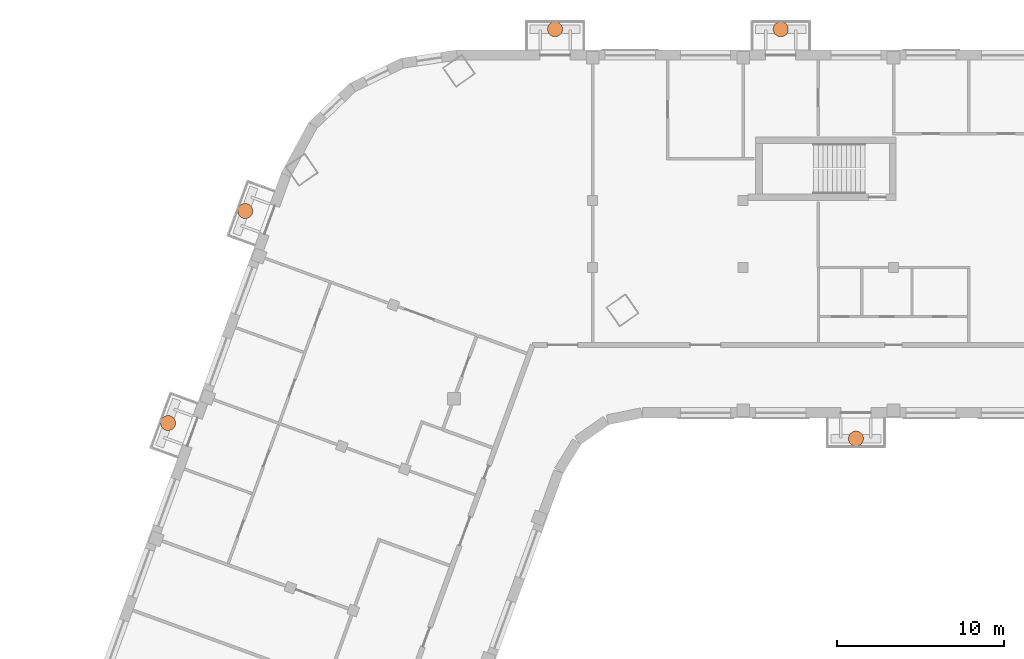
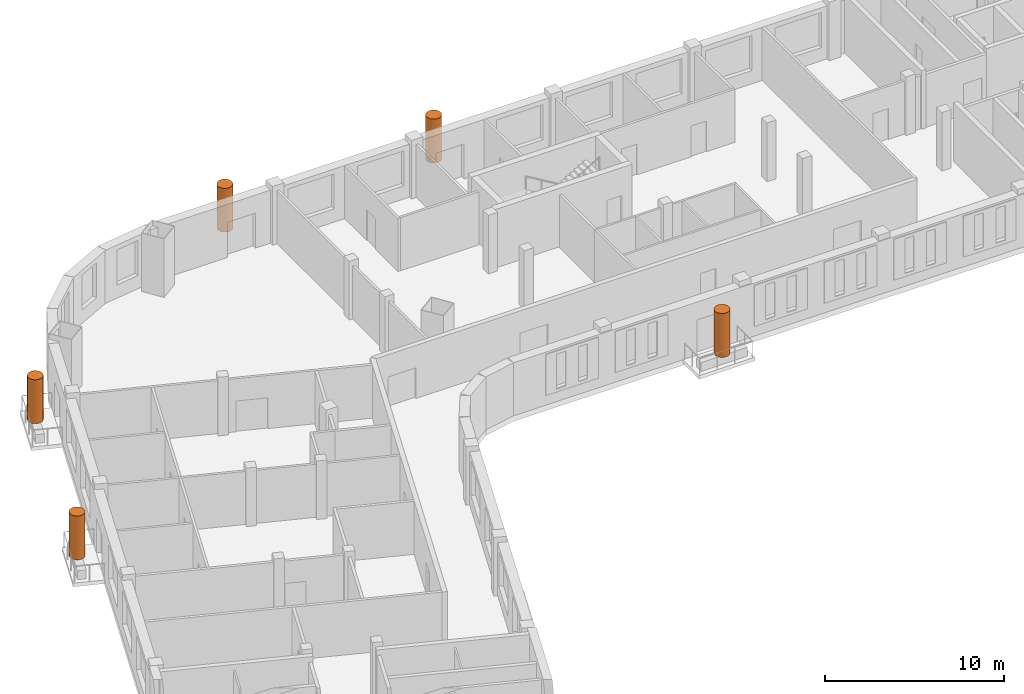
# One storey, part 10 of 10: 5 geographic elements.
"""IFC4 building model written with IfcOpenShell, lengths in metres."""

import ifcopenshell
import ifcopenshell.guid

model = None  # the IFC model being written
_history = None  # IfcOwnerHistory: only IFC2X3 demands one
_inside = {}  # id of a spatial element -> (the spatial element, [elements in it])
_under = {}  # id of a project, library or spatial element -> (it, [spatial elements below it])
_declared = {}  # id of a project -> (the project, [libraries it declares])
_typed = {}  # id of a type object -> (the type object, [elements of that type])
_made_of = {}  # id of a material, layer set ... -> (it, [elements and type objects made of it])


def new_model(schema):
    """Start an empty IFC model of exactly this schema.

    Asked for "IFC4X3", IfcOpenShell would pick the latest addendum, in which some entities
    have other attributes; the version numbers below select the first issue.
    IFC2X3 requires an IfcOwnerHistory on every rooted entity: one is made here for all.
    """
    global model, _history
    if schema == "IFC4X3":
        model = ifcopenshell.file(schema_version=(4, 3, 0, 0))
    else:
        model = ifcopenshell.file(schema=schema)
    _inside.clear()
    _under.clear()
    _declared.clear()
    _typed.clear()
    _made_of.clear()
    _history = None
    if model.schema == "IFC2X3":
        org = make("IfcOrganization", Name="unknown")
        user = make(
            "IfcPersonAndOrganization",
            ThePerson=make("IfcPerson", FamilyName="unknown"),
            TheOrganization=org,
        )
        app = make(
            "IfcApplication",
            ApplicationDeveloper=org,
            Version="unknown",
            ApplicationFullName="unknown",
            ApplicationIdentifier="unknown",
        )
        _history = make(
            "IfcOwnerHistory",
            OwningUser=user,
            OwningApplication=app,
            ChangeAction="ADDED",
            CreationDate=0,
        )
    return model


def make(cls, **values):
    """One entity of the class cls with the attributes given. An attribute that is None is left unset."""
    return model.create_entity(
        cls, **{name: value for name, value in values.items() if value is not None}
    )


def rooted(cls, **values):
    """An entity with a GlobalId (a new one), such as an element, a storey or a relation."""
    return make(cls, GlobalId=ifcopenshell.guid.new(), OwnerHistory=_history, **values)


def si_unit(unit_type, name, prefix=None):
    """IfcSIUnit, for example si_unit("LENGTHUNIT", "METRE", prefix="MILLI")."""
    return make("IfcSIUnit", UnitType=unit_type, Prefix=prefix, Name=name)


def assignment(units):
    """IfcUnitAssignment: the units of a project."""
    return None if units is None else make("IfcUnitAssignment", Units=units)


def point(xyz):
    """IfcCartesianPoint."""
    return None if xyz is None else make("IfcCartesianPoint", Coordinates=xyz)


def direction(xyz):
    """IfcDirection."""
    return None if xyz is None else make("IfcDirection", DirectionRatios=xyz)


def frame(location, z_axis=None, x_axis=None):
    """IfcAxis2Placement3D, a coordinate frame: its origin and axes. An axis left out is left unset."""
    return make(
        "IfcAxis2Placement3D",
        Location=point(location),
        Axis=direction(z_axis),
        RefDirection=direction(x_axis),
    )


def frame_2d(location, x_axis=None):
    """IfcAxis2Placement2D, a coordinate frame in the plane: its origin and x axis."""
    return make(
        "IfcAxis2Placement2D", Location=point(location), RefDirection=direction(x_axis)
    )


def origin():
    """The frame at (0, 0, 0) with its axes left unset."""
    return frame((0.0, 0.0, 0.0))


def origin_2d():
    """The frame at (0, 0) in the plane with its x axis left unset."""
    return frame_2d((0.0, 0.0))


def place(relative_to, where):
    """IfcLocalPlacement: puts the frame where relative to a parent placement (None: the world)."""
    return make(
        "IfcLocalPlacement", PlacementRelTo=relative_to, RelativePlacement=where
    )


def context(
    kind, dimensions, precision=None, world=None, true_north=None, identifier=None
):
    """IfcGeometricRepresentationContext, for example the 3D "Model" context."""
    return make(
        "IfcGeometricRepresentationContext",
        ContextIdentifier=identifier,
        ContextType=kind,
        CoordinateSpaceDimension=dimensions,
        Precision=precision,
        WorldCoordinateSystem=world,
        TrueNorth=true_north,
    )


def subcontext(parent, identifier, kind, view, scale=None):
    """IfcGeometricRepresentationSubContext, for example "Body" below "Model"."""
    return make(
        "IfcGeometricRepresentationSubContext",
        ContextIdentifier=identifier,
        ContextType=kind,
        ParentContext=parent,
        TargetScale=scale,
        TargetView=view,
    )


def project(units=None, contexts=None):
    """IfcProject with its units and contexts."""
    return rooted(
        "IfcProject",
        Name="project",
        RepresentationContexts=contexts,
        UnitsInContext=assignment(units),
    )


def spatial(cls, under=None, at=None, **own):
    """A site, building, storey or space (cls), placed at a placement, below another one or the project."""
    s = rooted(cls, ObjectPlacement=at, **own)
    if under is not None:
        _under.setdefault(under.id(), (under, []))[1].append(s)
    return s


def profile(cls, at=None, kind="AREA", **sizes):
    """A parametric profile (cls). Its sizes go by their IFC names, for example OverallWidth=200.0."""
    return make(cls, ProfileType=kind, Position=at, **sizes)


def circle(**sizes):
    """IfcCircleProfileDef."""
    return profile("IfcCircleProfileDef", **sizes)


def extrude(swept, where, along, depth):
    """IfcExtrudedAreaSolid: the profile swept, set in the frame where, extruded along a direction by depth."""
    return make(
        "IfcExtrudedAreaSolid",
        SweptArea=swept,
        Position=where,
        ExtrudedDirection=direction(along),
        Depth=depth,
    )


def shape(context_of_items, identifier, shape_type, items):
    """IfcShapeRepresentation: the items that make up one representation, for example the "Body"."""
    return make(
        "IfcShapeRepresentation",
        ContextOfItems=context_of_items,
        RepresentationIdentifier=identifier,
        RepresentationType=shape_type,
        Items=items,
    )


def made_of(thing, what):
    """Note that an element or type object is made of a material, layer set ...; save() writes the relation."""
    if what is not None:
        _made_of.setdefault(what.id(), (what, []))[1].append(thing)
    return thing


def element(
    cls,
    number,
    at=None,
    inside=None,
    cuts=None,
    type_object=None,
    material=None,
    context=None,
    identifier="Body",
    shape_type=None,
    held_by="IfcProductDefinitionShape",
    body=None,
    shapes=None,
    **own,
):
    """One element of the class cls, such as IfcWall. Its Tag is "e" and its number.

    at: its placement. inside: the storey or other place that contains it. cuts: it is an
    opening in that element (IfcRelVoidsElement). A single representation is given by context,
    identifier, shape_type and body (its items); several are given by shapes. held_by: the class
    of the entity that holds the representations. save() writes the other relations.
    """
    e = rooted(cls, Tag="e%d" % number, ObjectPlacement=at, **own)
    if body is not None:
        shapes = [shape(context, identifier, shape_type, body)]
    if shapes is not None:
        e.Representation = make(held_by, Representations=shapes)
    if inside is not None:
        _inside.setdefault(inside.id(), (inside, []))[1].append(e)
    if cuts is not None:
        rooted(
            "IfcRelVoidsElement", RelatingBuildingElement=cuts, RelatedOpeningElement=e
        )
    if type_object is not None:
        _typed.setdefault(type_object.id(), (type_object, []))[1].append(e)
    return made_of(e, material)


def aggregate(whole, parts):
    """IfcRelAggregates: a whole, such as a stair, and the parts it consists of."""
    return rooted("IfcRelAggregates", RelatingObject=whole, RelatedObjects=parts)


def save(model, path):
    """Write the relations noted so far, then the file.

    IfcRelAggregates (storeys below a building ...), IfcRelContainedInSpatialStructure (elements
    in a storey), IfcRelDefinesByType, IfcRelAssociatesMaterial and IfcRelDeclares: one each for
    every whole, place, type object, material and project.
    """
    for whole, parts in _under.values():
        aggregate(whole, parts)
    for where, things in _inside.values():
        rooted(
            "IfcRelContainedInSpatialStructure",
            RelatedElements=things,
            RelatingStructure=where,
        )
    for kind, things in _typed.values():
        rooted("IfcRelDefinesByType", RelatedObjects=things, RelatingType=kind)
    for what, things in _made_of.values():
        rooted("IfcRelAssociatesMaterial", RelatedObjects=things, RelatingMaterial=what)
    for by, libraries in _declared.values():
        rooted("IfcRelDeclares", RelatingContext=by, RelatedDefinitions=libraries)
    model.write(path)


model = new_model("IFC4")

# Units and contexts
model_context = context("Model", 3, precision=1e-05, world=origin(), true_north=direction((0.0, 1.0)))
body_context = subcontext(model_context, "Body", "Model", "MODEL_VIEW")
ifc_project = project(units=[si_unit("LENGTHUNIT", "METRE"), si_unit("AREAUNIT", "SQUARE_METRE"), si_unit("VOLUMEUNIT", "CUBIC_METRE"), si_unit("PLANEANGLEUNIT", "RADIAN"), si_unit("MASSUNIT", "GRAM", prefix="KILO")], contexts=[model_context])

# Site, building, storey
site_placement = place(None, origin())
site = spatial("IfcSite", under=ifc_project, at=site_placement, CompositionType="ELEMENT")
building_placement = place(site_placement, origin())
building = spatial("IfcBuilding", under=site, at=building_placement, Name="Skarvind Civic Tower", CompositionType="ELEMENT")
storey_placement = place(building_placement, frame((0.0, 0.0, 204.0)))
storey = spatial("IfcBuildingStorey", under=building, at=storey_placement, Name="L48", CompositionType="ELEMENT", Elevation=204.0)

# Geographic elements
for number, where, z_axis, x_axis, name in (
    (1, (70.0, 115.75, 0.60009765625), (0.0, 0.0, 1.0), (1.0, 0.0, 0.0), "TREE BALCONY TREE"),
    (2, (52.0, 140.25, 0.60009765625), (0.0, 0.0, 1.0), (1.0, 0.0, 0.0), "TREE BALCONY TREE"),
    (3, (65.5, 140.25, 0.60009765625), (0.0, 0.0, 1.0), (1.0, 0.0, 0.0), "TREE BALCONY TREE"),
    (4, (28.845458984375, 116.684814453125, 0.60009765625), (0.0, 0.0, 1.0), (1.0, 0.0, 0.0), "TREE BALCONY TREE"),
    (5, (33.462646484375, 129.37060546875, 0.60009765625), (0.0, 0.0, 1.0), (1.0, 0.0, 0.0), "TREE BALCONY TREE"),
):
    element("IfcGeographicElement", number, at=place(storey_placement, frame(where, z_axis=z_axis, x_axis=x_axis)), inside=storey, Name=name, ObjectType="TREE", PredefinedType="USERDEFINED", context=body_context, shape_type="SweptSolid", body=[
        extrude(circle(Radius=0.449951171875, at=origin_2d()), origin(), (0.0, 0.0, 1.0), 3.0),
    ])

save(model, "model.ifc")
